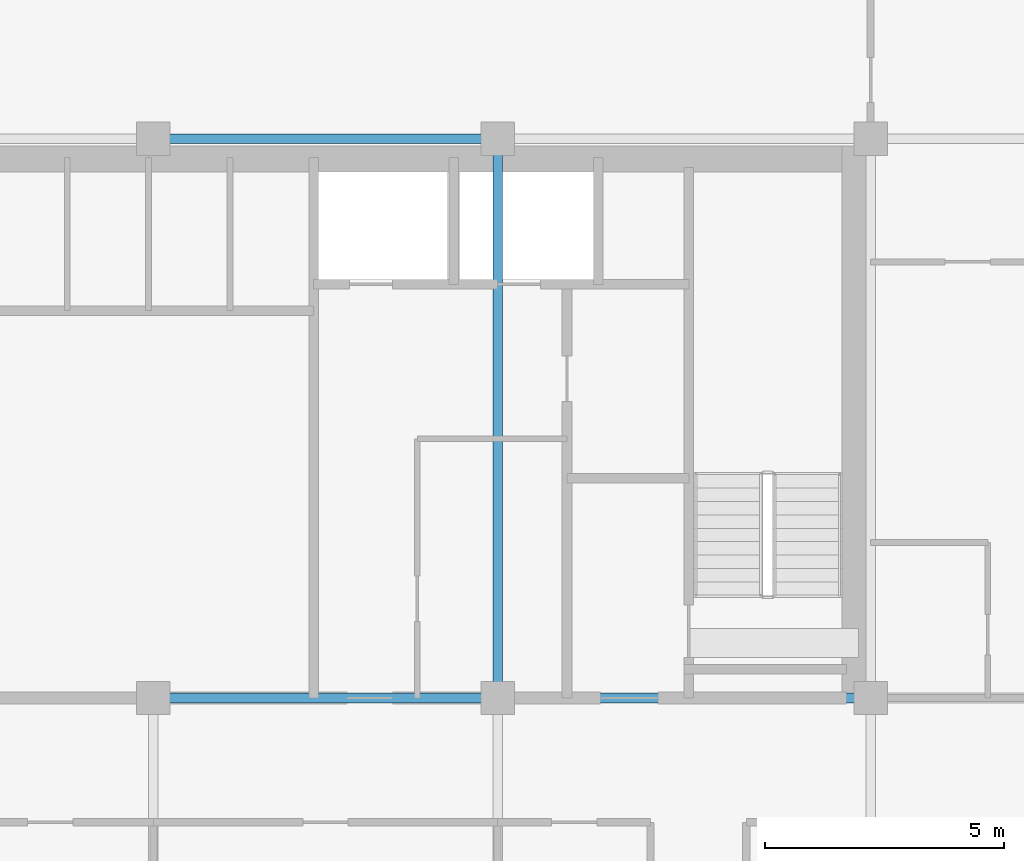
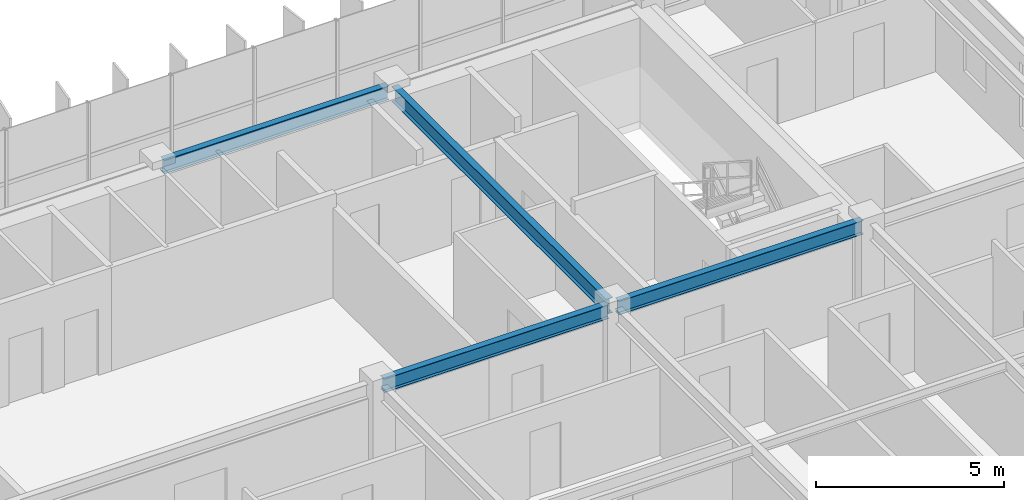
# One storey, part 10 of 23: 4 beams.
"""IFC4 building model written with IfcOpenShell, lengths in metres."""

from ifc_helpers import new_model, si_unit, direction, frame, origin, origin_2d, place, context, subcontext, project, spatial, i_section, extrude, source, transform, mapped, material, material_profile, profile_set, type_object, element, save


model = new_model("IFC4")

# Units and contexts
model_context = context("Model", 3, precision=1e-05, world=origin(), true_north=direction((0.0, 1.0)))
body_context = subcontext(model_context, "Body", "Model", "MODEL_VIEW")
ifc_project = project(units=[si_unit("LENGTHUNIT", "METRE"), si_unit("AREAUNIT", "SQUARE_METRE"), si_unit("VOLUMEUNIT", "CUBIC_METRE"), si_unit("PLANEANGLEUNIT", "RADIAN"), si_unit("MASSUNIT", "GRAM", prefix="KILO")], contexts=[model_context])

# Site, building, storey
site_placement = place(None, origin())
site = spatial("IfcSite", under=ifc_project, at=site_placement, CompositionType="ELEMENT")
building_placement = place(site_placement, origin())
building = spatial("IfcBuilding", under=site, at=building_placement, Name="Trelvane Seafront Commons", CompositionType="ELEMENT")
storey_placement = place(building_placement, frame((0.0, 0.0, 212.10009765625)))
storey = spatial("IfcBuildingStorey", under=building, at=storey_placement, Name="L55", CompositionType="ELEMENT", Elevation=212.10009765625)

# Beams
ifc_material = material(Name="Steel SM355 (S355)", Category="steel")
ifc_material_profile_1 = material_profile(ifc_material, i_section(OverallWidth=0.199951171875, OverallDepth=0.5, WebThickness=0.010009765625, FlangeThickness=0.01611328125, at=origin_2d()), Name="H-500x200x10x16")
ifc_profile_set_1 = profile_set([ifc_material_profile_1], Name="Steel SM355 (S355)")
beam_type_1 = type_object("IfcBeamType", Name="STR-BM-H500", PredefinedType="BEAM", material=ifc_profile_set_1)
shared_shape_1 = source(origin(), body_context, "Body", "SweptSolid", [
    extrude(i_section(OverallWidth=0.199951171875, OverallDepth=0.5, WebThickness=0.010009765625, FlangeThickness=0.01611328125, at=origin_2d()), origin(), (0.0, 0.0, 1.0), 11.39990234375),
])
beam_1_placement = place(storey_placement, frame((51.0, 33.550048828125, 3.10986328125), z_axis=(0.0, 1.0, 0.0), x_axis=(-1.0, 0.0, 0.0)))
element("IfcBeam", 1, at=beam_1_placement, inside=storey, type_object=beam_type_1, Name="L55 Primary Girder G-46", PredefinedType="BEAM", context=body_context, shape_type="MappedRepresentation", body=[
    mapped(shared_shape_1, transform((0.0, 0.0, 0.0), x_axis=(1.0, 0.0, 0.0), y_axis=(0.0, 1.0, 0.0), z_axis=(0.0, 0.0, 1.0), scale=1.0)),
])
ifc_material_profile_2 = material_profile(ifc_material, i_section(OverallWidth=0.199951171875, OverallDepth=0.449951171875, WebThickness=0.009033203125, FlangeThickness=0.013916015625, at=origin_2d()), Name="H-450x200x9x14")
ifc_profile_set_2 = profile_set([ifc_material_profile_2], Name="Steel SM355 (S355)")
beam_type_2 = type_object("IfcBeamType", Name="STR-SPD-H450", PredefinedType="SPANDREL", material=ifc_profile_set_2)
shared_shape_2 = source(origin(), body_context, "Body", "SweptSolid", [
    extrude(i_section(OverallWidth=0.199951171875, OverallDepth=0.449951171875, WebThickness=0.009033203125, FlangeThickness=0.013916015625, at=origin_2d()), origin(), (0.0, 0.0, 1.0), 7.5),
])
beam_2_placement = place(storey_placement, frame((51.14990234375, 33.39990234375, 3.135009765625), z_axis=(1.0, 0.0, 0.0), x_axis=(0.0, 1.0, 0.0)))
element("IfcBeam", 2, at=beam_2_placement, inside=storey, type_object=beam_type_2, Name="L55 Primary Girder G-20", PredefinedType="SPANDREL", context=body_context, shape_type="MappedRepresentation", body=[
    mapped(shared_shape_2, transform((0.0, 0.0, 0.0), x_axis=(1.0, 0.0, 0.0), y_axis=(0.0, 1.0, 0.0), z_axis=(0.0, 0.0, 1.0), scale=1.0)),
])
shared_shape_3 = source(origin(), body_context, "Body", "SweptSolid", [
    extrude(i_section(OverallWidth=0.199951171875, OverallDepth=0.449951171875, WebThickness=0.009033203125, FlangeThickness=0.013916015625, at=origin_2d()), origin(), (0.0, 0.0, 1.0), 6.900146484375),
])
for number, where, z_axis, x_axis, name in (
    (3, (43.949951171875, 33.39990234375, 3.135009765625), (1.0, 0.0, 0.0), (0.0, 1.0, 0.0), "L55 Primary Girder G-19"),
    (4, (43.949951171875, 45.10009765625, 3.135009765625), (1.0, 0.0, 0.0), (0.0, 1.0, 0.0), "L55 Primary Girder G-26"),
):
    element("IfcBeam", number, at=place(storey_placement, frame(where, z_axis=z_axis, x_axis=x_axis)), inside=storey, type_object=beam_type_2, Name=name, PredefinedType="SPANDREL", context=body_context, shape_type="MappedRepresentation", body=[
        mapped(shared_shape_3, transform((0.0, 0.0, 0.0), x_axis=(1.0, 0.0, 0.0), y_axis=(0.0, 1.0, 0.0), z_axis=(0.0, 0.0, 1.0), scale=1.0)),
    ])

save(model, "model.ifc")
